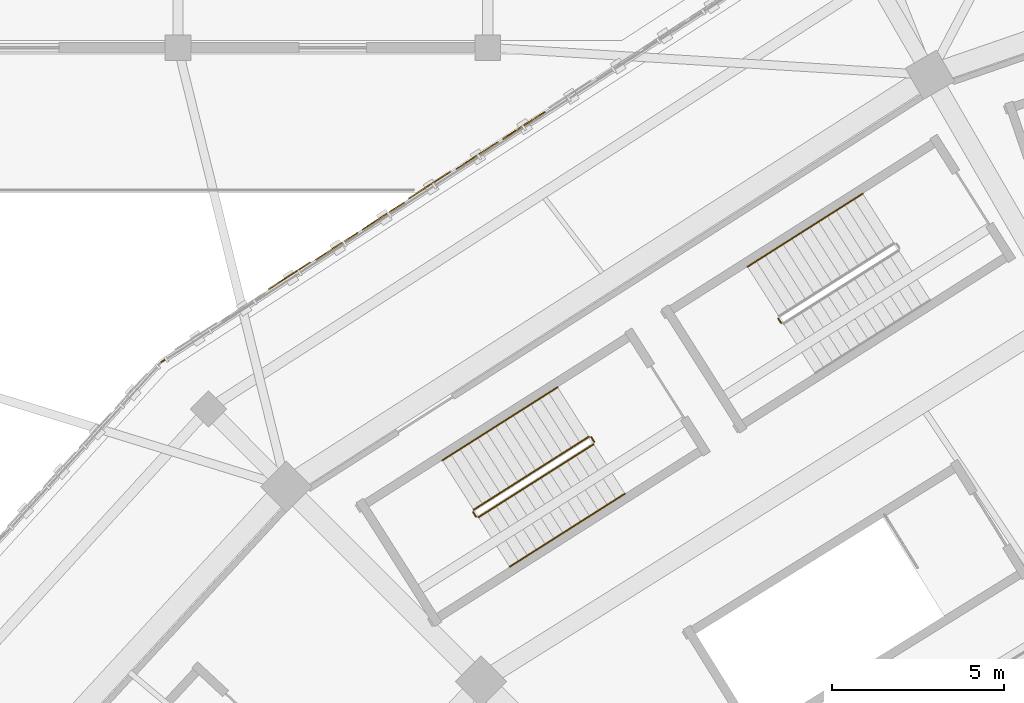
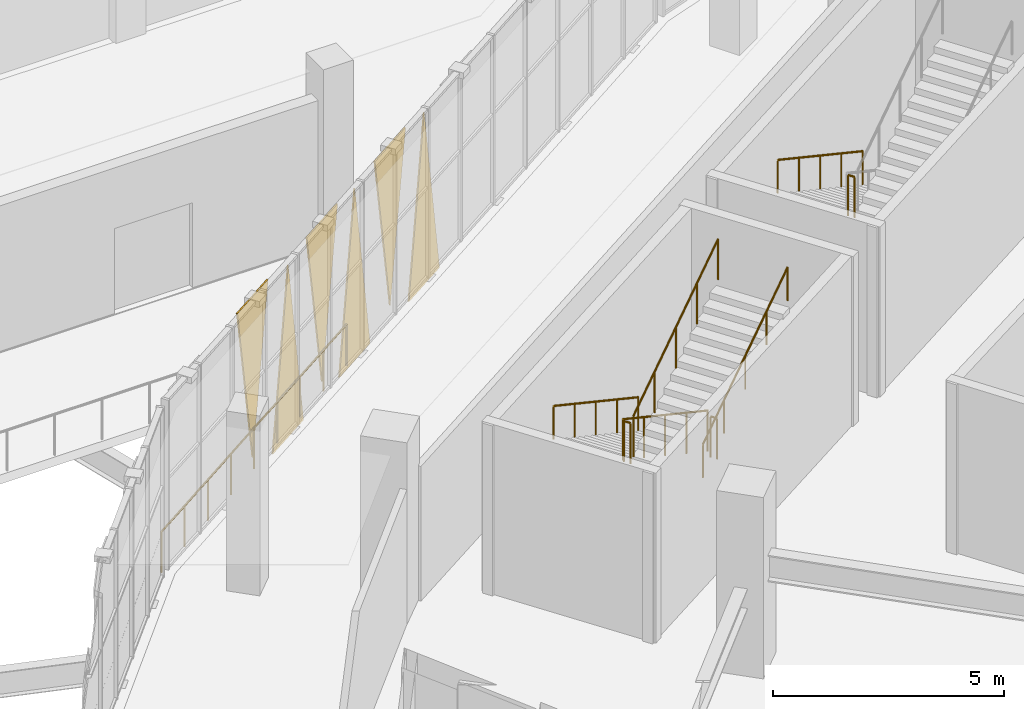
# One storey, part 160 of 179: 9 railings, 6 coverings.
"""IFC4 building model written with IfcOpenShell, lengths in metres."""

from ifc_helpers import new_model, si_unit, direction, frame, origin, origin_2d, place, context, subcontext, project, spatial, polyline, circle, outline, extrude, material, layer, layer_set, type_object, element, save


model = new_model("IFC4")

# Units and contexts
model_context = context("Model", 3, precision=1e-05, world=origin(), true_north=direction((0.0, 1.0)))
body_context = subcontext(model_context, "Body", "Model", "MODEL_VIEW")
ifc_project = project(units=[si_unit("LENGTHUNIT", "METRE"), si_unit("AREAUNIT", "SQUARE_METRE"), si_unit("VOLUMEUNIT", "CUBIC_METRE"), si_unit("PLANEANGLEUNIT", "RADIAN"), si_unit("MASSUNIT", "GRAM", prefix="KILO")], contexts=[model_context])

# Site, building, storey
site_placement = place(None, origin())
site = spatial("IfcSite", under=ifc_project, at=site_placement, CompositionType="ELEMENT")
building_placement = place(site_placement, origin())
building = spatial("IfcBuilding", under=site, at=building_placement, Name="Zevraka Park Crest Stadium", CompositionType="ELEMENT")
storey_placement = place(building_placement, frame((0.0, 0.0, 10.199951171875)))
storey = spatial("IfcBuildingStorey", under=building, at=storey_placement, Name="L02", CompositionType="ELEMENT", Elevation=10.199951171875)

# Coverings
ifc_material_1 = material(Name="Architectural golden-bronze perforated aluminium", Category="aluminium")
ifc_layer = layer(ifc_material_1, 0.034912109375)
ifc_layer_set = layer_set([ifc_layer], Name="Architectural golden-bronze perforated aluminium")
covering_type = type_object("IfcCoveringType", Name="CLD01", PredefinedType="CLADDING", material=ifc_layer_set)
covering_1_placement = place(storey_placement, frame((55.652099609375, 156.154052734375, -0.239990234375), z_axis=(-0.543209619056, 0.839597111575, 0.0), x_axis=(-0.839597111575, -0.543209619056, 0.0)))
element("IfcCovering", 1, at=covering_1_placement, inside=storey, type_object=covering_type, Name="Triangular Golden-Bronze Perforated Cladding L02-08-7", PredefinedType="CLADDING", context=body_context, shape_type="SweptSolid", body=[
    extrude(outline(polyline([(0.0, 0.0), (1.4579863089976983, 0.0), (0.7289931544988492, 4.56005859375), (0.0, 0.0)])), origin(), (0.0, 0.0, -1.0), 0.034912109375),
])
covering_2_placement = place(storey_placement, frame((53.069091796875, 154.48291015625, 4.47998046875), z_axis=(-0.543285997868, 0.839547690294, 1.5567826e-05), x_axis=(0.839547690396, 0.543285997934, 0.0)))
element("IfcCovering", 2, at=covering_2_placement, inside=storey, type_object=covering_type, Name="Triangular Golden-Bronze Perforated Cladding L02-08-8", PredefinedType="CLADDING", context=body_context, shape_type="SweptSolid", body=[
    extrude(outline(polyline([(0.0, 0.0), (1.457781335266565, 1.6940658945086007e-21), (0.7287881837843572, 4.260009766141223), (0.0, 0.0)])), origin(), (0.0, 0.0, -1.0), 0.034912109375),
])
covering_3_placement = place(storey_placement, frame((52.93505859375, 154.39599609375, -0.239990234375), z_axis=(0.54290427239, -0.839794586576, 5.813302e-05), x_axis=(-0.839794587995, -0.542904273307, 0.0)))
element("IfcCovering", 3, at=covering_3_placement, inside=storey, type_object=covering_type, Name="Triangular Golden-Bronze Perforated Cladding L02-08-9", PredefinedType="CLADDING", context=body_context, shape_type="SweptSolid", body=[
    extrude(outline(polyline([(0.0, 0.0), (1.458806324503112, 0.0), (0.729813218202725, -4.56005860145524), (0.0, 0.0)])), origin(), (0.0, 0.0, -1.0), 0.034912109375),
])
covering_4_placement = place(storey_placement, frame((50.35107421875, 152.72509765625, 4.47998046875), z_axis=(-0.542980582644, 0.839745247572, 7.7795373e-05), x_axis=(0.839745250113, 0.542980584287, 0.0)))
element("IfcCovering", 4, at=covering_4_placement, inside=storey, type_object=covering_type, Name="Triangular Golden-Bronze Perforated Cladding L02-08-10", PredefinedType="CLADDING", context=body_context, shape_type="SweptSolid", body=[
    extrude(outline(polyline([(0.0, 0.0), (1.4586013025497944, -6.776263578034403e-21), (0.7287881114493888, 4.260009778516046), (0.0, 0.0)])), origin(), (0.0, 0.0, -1.0), 0.034912109375),
])
covering_5_placement = place(storey_placement, frame((50.217041015625, 152.637939453125, -0.239990234375), z_axis=(-0.54290427239, 0.839794586576, 5.813302e-05), x_axis=(-0.839794587995, -0.542904273307, 0.0)))
element("IfcCovering", 5, at=covering_5_placement, inside=storey, type_object=covering_type, Name="Triangular Golden-Bronze Perforated Cladding L02-08-11", PredefinedType="CLADDING", context=body_context, shape_type="SweptSolid", body=[
    extrude(outline(polyline([(0.0, 0.0), (1.458806324503112, 0.0), (0.7289931063003867, 4.56005860145524), (0.0, 0.0)])), origin(), (0.0, 0.0, -1.0), 0.034912109375),
])
covering_6_placement = place(storey_placement, frame((47.634033203125, 150.968017578125, 4.47998046875), z_axis=(0.543285997868, -0.839547690294, 1.5567826e-05), x_axis=(0.839547690396, 0.543285997934, 0.0)))
element("IfcCovering", 6, at=covering_6_placement, inside=storey, type_object=covering_type, Name="Triangular Golden-Bronze Perforated Cladding L02-08-12", PredefinedType="CLADDING", context=body_context, shape_type="SweptSolid", body=[
    extrude(outline(polyline([(0.0, 0.0), (1.457781335266565, 1.6940658945086007e-21), (0.7289931514822077, -4.260009766141223), (0.0, 0.0)])), origin(), (0.0, 0.0, -1.0), 0.034912109375),
])

# Railings
ifc_material_2 = material(Name="Galvanised and bronze-finished steel balustrade", Category="steel")
railing_type_1 = type_object("IfcRailingType", Name="GR01", PredefinedType="GUARDRAIL", material=ifc_material_2)
railing_1_placement = place(storey_placement, frame((44.51708984375, 148.867919921875, 0.0)))
element("IfcRailing", 7, at=railing_1_placement, inside=storey, type_object=railing_type_1, Name="Deck Edge Protection Guardrail GR01 L02-79", PredefinedType="GUARDRAIL", context=body_context, shape_type="SweptSolid", body=[
    extrude(circle(Radius=0.02392578125, at=origin_2d()), frame((0.0, 0.0, 1.076171875), z_axis=(0.839653468709, 0.543122502282, 0.0), x_axis=(-0.543122502282, 0.839653468709, 0.0)), (0.0, 0.0, 1.0), 8.8046875),
    extrude(circle(Radius=0.02099609375, at=origin_2d()), origin(), (0.0, 0.0, 1.0), 1.052001953125),
    extrude(circle(Radius=0.02099609375, at=origin_2d()), frame((0.924072265625, 0.59765625, 0.0)), (0.0, 0.0, 1.0), 1.052001953125),
    extrude(circle(Radius=0.02099609375, at=origin_2d()), frame((1.84814453125, 1.195556640625, 0.0)), (0.0, 0.0, 1.0), 1.052001953125),
    extrude(circle(Radius=0.02099609375, at=origin_2d()), frame((2.772216796875, 1.793212890625, 0.0)), (0.0, 0.0, 1.0), 1.052001953125),
    extrude(circle(Radius=0.02099609375, at=origin_2d()), frame((3.6962890625, 2.39111328125, 0.0)), (0.0, 0.0, 1.0), 1.052001953125),
    extrude(circle(Radius=0.02099609375, at=origin_2d()), frame((4.62060546875, 2.98876953125, 0.0)), (0.0, 0.0, 1.0), 1.052001953125),
    extrude(circle(Radius=0.02099609375, at=origin_2d()), frame((5.544677734375, 3.58642578125, 0.0)), (0.0, 0.0, 1.0), 1.052001953125),
    extrude(circle(Radius=0.02099609375, at=origin_2d()), frame((6.46875, 4.184326171875, 0.0)), (0.0, 0.0, 1.0), 1.052001953125),
    extrude(circle(Radius=0.02099609375, at=origin_2d()), frame((7.392822265625, 4.781982421875, 0.0)), (0.0, 0.0, 1.0), 1.052001953125),
])
ifc_material_3 = material(Name="Powder-coated tubular steel stairwell guard", Category="steel")
railing_type_2 = type_object("IfcRailingType", Name="GR03", PredefinedType="GUARDRAIL", material=ifc_material_3)
railing_2_placement = place(storey_placement, frame((62.442138671875, 150.1318359375, 2.400146484375)))
element("IfcRailing", 8, at=railing_2_placement, inside=storey, type_object=railing_type_2, Name="L02 ST09 stair guard 2", PredefinedType="GUARDRAIL", context=body_context, shape_type="SweptSolid", body=[
    extrude(circle(Radius=0.02392578125, at=origin_2d()), frame((0.0, 0.0, 1.076171875), z_axis=(0.535887230789, -0.844289568736, 0.0), x_axis=(0.844289568736, 0.535887230789, 0.0)), (0.0, 0.0, 1.0), 0.159912109375),
    extrude(circle(Radius=0.02099609375, at=origin_2d()), origin(), (0.0, 0.0, 1.0), 1.052001953125),
    extrude(circle(Radius=0.02099609375, at=origin_2d()), frame((0.085693359375, -0.135009765625, 0.0)), (0.0, 0.0, 1.0), 1.052001953125),
])
railing_3_placement = place(storey_placement, frame((56.939453125, 146.699951171875, 0.17138671875)))
element("IfcRailing", 9, at=railing_3_placement, inside=storey, type_object=railing_type_2, Name="L02 ST28 stair guard 1", PredefinedType="GUARDRAIL", context=body_context, shape_type="SweptSolid", body=[
    extrude(circle(Radius=0.02392578125, at=origin_2d()), frame((0.0, 0.0, 1.076171875), z_axis=(-0.7360728576, -0.466989999352, 0.490017437251), x_axis=(0.535715535947, -0.844398522349, 0.0)), (0.0, 0.0, 1.0), 4.54833984375),
    extrude(circle(Radius=0.02099609375, at=origin_2d()), origin(), (0.0, 0.0, 1.0), 1.052001953125),
    extrude(circle(Radius=0.02099609375, at=origin_2d()), frame((-0.8369140625, -0.531005859375, 0.55712890625)), (0.0, 0.0, 1.0), 1.052001953125),
    extrude(circle(Radius=0.02099609375, at=origin_2d()), frame((-1.673828125, -1.06201171875, 1.1142578125)), (0.0, 0.0, 1.0), 1.052001953125),
    extrude(circle(Radius=0.02099609375, at=origin_2d()), frame((-2.510986328125, -1.593017578125, 1.671630859375)), (0.0, 0.0, 1.0), 1.052001953125),
    extrude(circle(Radius=0.02099609375, at=origin_2d()), frame((-3.347900390625, -2.1240234375, 2.228759765625)), (0.0, 0.0, 1.0), 1.052001953125),
])
railing_4_placement = place(storey_placement, frame((53.575927734375, 144.5068359375, 2.400146484375)))
element("IfcRailing", 10, at=railing_4_placement, inside=storey, type_object=railing_type_2, Name="L02 ST28 stair guard 2", PredefinedType="GUARDRAIL", context=body_context, shape_type="SweptSolid", body=[
    extrude(circle(Radius=0.02392578125, at=origin_2d()), frame((0.0, 0.0, 1.076171875), z_axis=(0.536974197011, -0.843598667463, 0.0), x_axis=(0.843598667463, 0.536974197011, 0.0)), (0.0, 0.0, 1.0), 0.16015625),
    extrude(circle(Radius=0.02099609375, at=origin_2d()), origin(), (0.0, 0.0, 1.0), 1.052001953125),
    extrude(circle(Radius=0.02099609375, at=origin_2d()), frame((0.0859375, -0.135009765625, 0.0)), (0.0, 0.0, 1.0), 1.052001953125),
])
railing_5_placement = place(storey_placement, frame((53.730712890625, 144.3564453125, 2.571533203125)))
element("IfcRailing", 11, at=railing_5_placement, inside=storey, type_object=railing_type_2, Name="L02 ST28 stair guard 3", PredefinedType="GUARDRAIL", context=body_context, shape_type="SweptSolid", body=[
    extrude(circle(Radius=0.02392578125, at=origin_2d()), frame((0.0, 0.0, 1.076171875), z_axis=(0.736116810277, 0.466983830349, 0.48995728775), x_axis=(-0.535687682518, 0.84441619288, 0.0)), (0.0, 0.0, 1.0), 4.54833984375),
    extrude(circle(Radius=0.02099609375, at=origin_2d()), origin(), (0.0, 0.0, 1.0), 1.052001953125),
    extrude(circle(Radius=0.02099609375, at=origin_2d()), frame((0.8369140625, 0.531005859375, 0.55712890625)), (0.0, 0.0, 1.0), 1.052001953125),
    extrude(circle(Radius=0.02099609375, at=origin_2d()), frame((1.674072265625, 1.06201171875, 1.1142578125)), (0.0, 0.0, 1.0), 1.052001953125),
    extrude(circle(Radius=0.02099609375, at=origin_2d()), frame((2.51123046875, 1.593017578125, 1.67138671875)), (0.0, 0.0, 1.0), 1.052001953125),
    extrude(circle(Radius=0.02099609375, at=origin_2d()), frame((3.34814453125, 2.1240234375, 2.228515625)), (0.0, 0.0, 1.0), 1.052001953125),
])
railing_6_placement = place(storey_placement, frame((57.008544921875, 146.6845703125, 0.0)))
element("IfcRailing", 12, at=railing_6_placement, inside=storey, type_object=railing_type_2, Name="L02 ST28 stair guard 4", PredefinedType="GUARDRAIL", context=body_context, shape_type="SweptSolid", body=[
    extrude(circle(Radius=0.02392578125, at=origin_2d()), frame((0.0, 0.0, 1.076171875), z_axis=(0.535887230789, -0.844289568736, 0.0), x_axis=(0.844289568736, 0.535887230789, 0.0)), (0.0, 0.0, 1.0), 0.159912109375),
    extrude(circle(Radius=0.02099609375, at=origin_2d()), origin(), (0.0, 0.0, 1.0), 1.052001953125),
    extrude(circle(Radius=0.02099609375, at=origin_2d()), frame((0.085693359375, -0.135009765625, 0.0)), (0.0, 0.0, 1.0), 1.052001953125),
])
ifc_material_4 = material(Name="Brushed stainless steel continuous handrail", Category="steel")
railing_type_3 = type_object("IfcRailingType", Name="HR01", PredefinedType="HANDRAIL", material=ifc_material_4)
railing_7_placement = place(storey_placement, frame((64.894775390625, 153.760498046875, 0.17138671875)))
element("IfcRailing", 13, at=railing_7_placement, inside=storey, type_object=railing_type_3, Name="L02 ST09 stair handrail 1", PredefinedType="HANDRAIL", context=body_context, shape_type="SweptSolid", body=[
    extrude(circle(Radius=0.02392578125, at=origin_2d()), frame((0.0, 0.0, 0.8759765625), z_axis=(-0.7360728576, -0.466989999352, 0.490017437251), x_axis=(0.535715535947, -0.844398522349, 0.0)), (0.0, 0.0, 1.0), 4.54833984375),
    extrude(circle(Radius=0.02099609375, at=origin_2d()), origin(), (0.0, 0.0, 1.0), 0.851806640625),
    extrude(circle(Radius=0.02099609375, at=origin_2d()), frame((-0.8369140625, -0.531005859375, 0.55712890625)), (0.0, 0.0, 1.0), 0.851806640625),
    extrude(circle(Radius=0.02099609375, at=origin_2d()), frame((-1.673828125, -1.06201171875, 1.1142578125)), (0.0, 0.0, 1.0), 0.851806640625),
    extrude(circle(Radius=0.02099609375, at=origin_2d()), frame((-2.510986328125, -1.593017578125, 1.671630859375)), (0.0, 0.0, 1.0), 0.851806640625),
    extrude(circle(Radius=0.02099609375, at=origin_2d()), frame((-3.347900390625, -2.1240234375, 2.228759765625)), (0.0, 0.0, 1.0), 0.851806640625),
])
railing_8_placement = place(storey_placement, frame((56.02880859375, 148.135498046875, 0.17138671875)))
element("IfcRailing", 14, at=railing_8_placement, inside=storey, type_object=railing_type_3, Name="L02 ST28 stair handrail 1", PredefinedType="HANDRAIL", context=body_context, shape_type="SweptSolid", body=[
    extrude(circle(Radius=0.02392578125, at=origin_2d()), frame((0.0, 0.0, 0.8759765625), z_axis=(-0.736097450774, -0.466971548909, 0.48999807701), x_axis=(0.535687682518, -0.84441619288, 0.0)), (0.0, 0.0, 1.0), 4.548583984375),
    extrude(circle(Radius=0.02099609375, at=origin_2d()), origin(), (0.0, 0.0, 1.0), 0.851806640625),
    extrude(circle(Radius=0.02099609375, at=origin_2d()), frame((-0.8369140625, -0.531005859375, 0.55712890625)), (0.0, 0.0, 1.0), 0.851806640625),
    extrude(circle(Radius=0.02099609375, at=origin_2d()), frame((-1.674072265625, -1.06201171875, 1.1142578125)), (0.0, 0.0, 1.0), 0.851806640625),
    extrude(circle(Radius=0.02099609375, at=origin_2d()), frame((-2.51123046875, -1.593017578125, 1.671630859375)), (0.0, 0.0, 1.0), 0.851806640625),
    extrude(circle(Radius=0.02099609375, at=origin_2d()), frame((-3.34814453125, -2.1240234375, 2.228759765625)), (0.0, 0.0, 1.0), 0.851806640625),
])
railing_9_placement = place(storey_placement, frame((54.6416015625, 142.9208984375, 2.571533203125)))
element("IfcRailing", 15, at=railing_9_placement, inside=storey, type_object=railing_type_3, Name="L02 ST28 stair handrail 2", PredefinedType="HANDRAIL", context=body_context, shape_type="SweptSolid", body=[
    extrude(circle(Radius=0.02392578125, at=origin_2d()), frame((0.0, 0.0, 0.8759765625), z_axis=(0.736092217986, 0.467002282249, 0.489976647398), x_axis=(-0.535715535947, 0.844398522349, 0.0)), (0.0, 0.0, 1.0), 4.548095703125),
    extrude(circle(Radius=0.02099609375, at=origin_2d()), origin(), (0.0, 0.0, 1.0), 0.851806640625),
    extrude(circle(Radius=0.02099609375, at=origin_2d()), frame((0.8369140625, 0.531005859375, 0.55712890625)), (0.0, 0.0, 1.0), 0.851806640625),
    extrude(circle(Radius=0.02099609375, at=origin_2d()), frame((1.673828125, 1.06201171875, 1.1142578125)), (0.0, 0.0, 1.0), 0.851806640625),
    extrude(circle(Radius=0.02099609375, at=origin_2d()), frame((2.510986328125, 1.593017578125, 1.67138671875)), (0.0, 0.0, 1.0), 0.851806640625),
    extrude(circle(Radius=0.02099609375, at=origin_2d()), frame((3.347900390625, 2.1240234375, 2.228515625)), (0.0, 0.0, 1.0), 0.851806640625),
])

save(model, "model.ifc")
